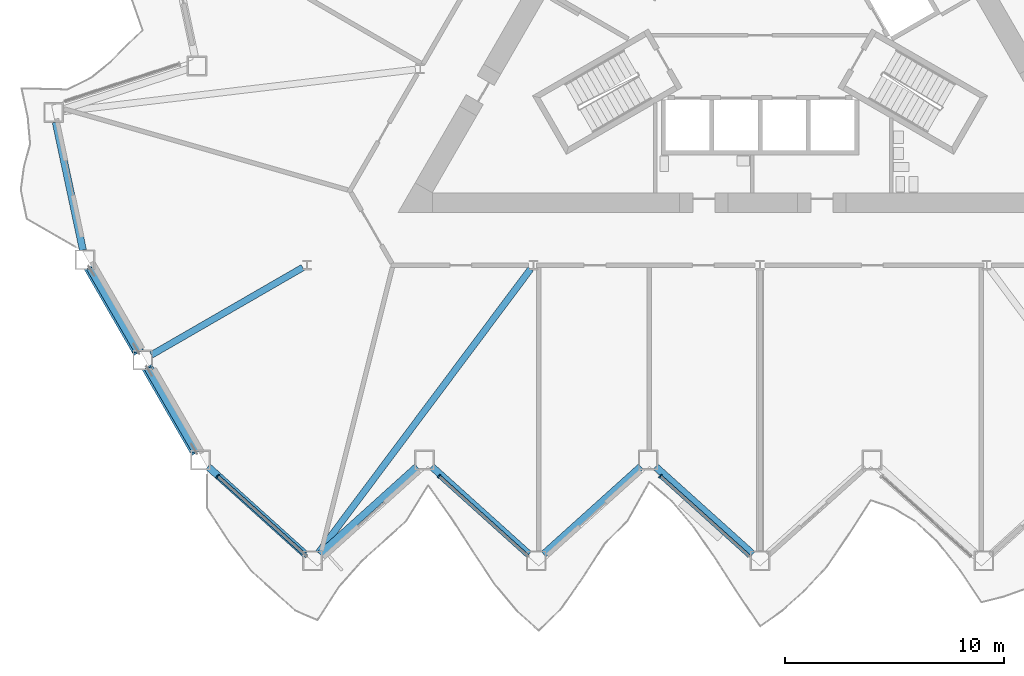
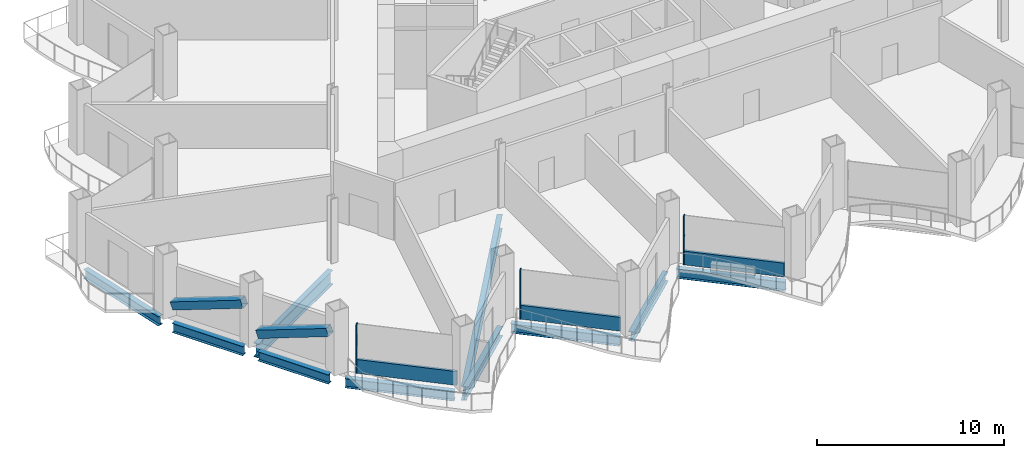
# One storey, part 3 of 21: 10 beams, 8 members, 3 elements without a shape of their own.
"""IFC4 building model written with IfcOpenShell, lengths in metres."""

from ifc_helpers import new_model, si_unit, direction, frame, origin, origin_2d, place, context, subcontext, project, spatial, rectangle, hollow_rectangle, i_section, extrude, material, layer, layer_set, material_profile, profile_set, type_object, element, aggregate, save


model = new_model("IFC4")

# Units and contexts
model_context = context("Model", 3, precision=1e-05, world=origin(), true_north=direction((0.0, 1.0)))
body_context = subcontext(model_context, "Body", "Model", "MODEL_VIEW")
ifc_project = project(units=[si_unit("LENGTHUNIT", "METRE"), si_unit("AREAUNIT", "SQUARE_METRE"), si_unit("VOLUMEUNIT", "CUBIC_METRE"), si_unit("PLANEANGLEUNIT", "RADIAN"), si_unit("MASSUNIT", "GRAM", prefix="KILO")], contexts=[model_context])

# Site, building, storey
site_placement = place(None, origin())
site = spatial("IfcSite", under=ifc_project, at=site_placement, CompositionType="ELEMENT")
building_placement = place(site_placement, origin())
building = spatial("IfcBuilding", under=site, at=building_placement, Name="Cormorant Prow Tower", CompositionType="ELEMENT")
storey_placement = place(building_placement, frame((0.0, 0.0, 129.0)))
storey = spatial("IfcBuildingStorey", under=building, at=storey_placement, Name="L27", CompositionType="ELEMENT", Elevation=129.0)

# Members
ifc_material_1 = material(Name="Structural steel ASTM A500 Gr C", Category="steel")
ifc_material_profile_1 = material_profile(ifc_material_1, hollow_rectangle(XDim=0.508056640625, YDim=0.508056640625, WallThickness=0.014892578125, at=origin_2d()), Name="HSS20x20x5/8")
ifc_profile_set_1 = profile_set([ifc_material_profile_1], Name="Structural steel ASTM A500 Gr C")
member_type_1 = type_object("IfcMemberType", Name="Chamfer brace HSS20x20x5/8", PredefinedType="BRACE", material=ifc_profile_set_1)
for number, where, z_axis, x_axis, name in (
    (1, (-30.535400390625, -12.0849609375, 0.776611328125), (0.467784671838, -0.810243526908, 0.35310469821), (0.866029868417, 0.499992266949, 0.0), "Chamfer brace BR1 at WSW00 L27"),
    (2, (-27.900634765625, -16.648681640625, 0.776611328125), (0.467784671838, -0.810243526908, 0.35310469821), (0.866029868417, 0.499992266949, 0.0), "Chamfer brace BR1 at WSW01 L27"),
):
    element("IfcMember", number, at=place(storey_placement, frame(where, z_axis=z_axis, x_axis=x_axis)), inside=storey, type_object=member_type_1, Name=name, PredefinedType="BRACE", context=body_context, shape_type="SweptSolid", body=[
        extrude(hollow_rectangle(XDim=0.508056640625, YDim=0.508056640625, WallThickness=0.014892578125, at=origin_2d()), origin(), (0.0, 0.0, 1.0), 4.632568359375),
    ])

# Curtain wall, member
ifc_material_2 = material(Name="Aluminium 6063-T6", Category="aluminium")
ifc_layer = layer(ifc_material_2, 0.199951171875)
ifc_layer_set = layer_set([ifc_layer], Name="Aluminium 6063-T6")
curtain_wall_type = type_object("IfcCurtainWallType", Name="Office unitised curtain wall 200", PredefinedType="NOTDEFINED", material=ifc_layer_set)
curtain_wall_1_placement = place(storey_placement, origin())
curtain_wall_1 = element("IfcCurtainWall", 3, at=curtain_wall_1_placement, inside=storey, type_object=curtain_wall_type, Name="Office curtain wall S00", PredefinedType="NOTDEFINED")
ifc_material_3 = material(Name="Aluminium 6063-T6", Category="aluminium")
ifc_material_profile_2 = material_profile(ifc_material_3, rectangle(XDim=0.199951171875, YDim=0.06005859375, at=origin_2d()), Name="Office mullion 60x200")
ifc_profile_set_2 = profile_set([ifc_material_profile_2], Name="Aluminium 6063-T6")
member_type_2 = type_object("IfcMemberType", Name="Office mullion 60x200", PredefinedType="MULLION", material=ifc_profile_set_2)
member_1_placement = place(storey_placement, frame((-24.721923828125, -21.54150390625, 0.0), z_axis=(0.0, 0.0, 1.0), x_axis=(0.669130553193, 0.743144873348, 0.0)))
member_1 = element("IfcMember", 4, at=member_1_placement, type_object=member_type_2, Name="Office mullion S00", PredefinedType="MULLION", context=body_context, shape_type="SweptSolid", body=[
    extrude(rectangle(XDim=0.199951171875, YDim=0.06005859375, at=origin_2d()), origin(), (0.0, 0.0, 1.0), 3.18896484375),
])

curtain_wall_2_placement = place(storey_placement, origin())
curtain_wall_2 = element("IfcCurtainWall", 5, at=curtain_wall_2_placement, inside=storey, type_object=curtain_wall_type, Name="Office curtain wall S02", PredefinedType="NOTDEFINED")
member_2_placement = place(storey_placement, frame((-14.63525390625, -21.54150390625, 0.0), z_axis=(0.0, 0.0, 1.0), x_axis=(0.669130626463, 0.743144807376, 0.0)))
member_2 = element("IfcMember", 6, at=member_2_placement, type_object=member_type_2, Name="Office mullion S02", PredefinedType="MULLION", context=body_context, shape_type="SweptSolid", body=[
    extrude(rectangle(XDim=0.199951171875, YDim=0.06005859375, at=origin_2d()), origin(), (0.0, 0.0, 1.0), 3.18896484375),
])

curtain_wall_3_placement = place(storey_placement, origin())
curtain_wall_3 = element("IfcCurtainWall", 7, at=curtain_wall_3_placement, inside=storey, type_object=curtain_wall_type, Name="Office curtain wall S04", PredefinedType="NOTDEFINED")
member_3_placement = place(storey_placement, frame((-4.54833984375, -21.54150390625, 0.0), z_axis=(0.0, 0.0, 1.0), x_axis=(0.669130626463, 0.743144807376, 0.0)))
member_3 = element("IfcMember", 8, at=member_3_placement, type_object=member_type_2, Name="Office mullion S04", PredefinedType="MULLION", context=body_context, shape_type="SweptSolid", body=[
    extrude(rectangle(XDim=0.199951171875, YDim=0.06005859375, at=origin_2d()), origin(), (0.0, 0.0, 1.0), 3.18896484375),
])

# Member
ifc_material_4 = material(Name="Terracotta", Category="masonry")
ifc_material_profile_3 = material_profile(ifc_material_4, rectangle(XDim=0.159912109375, YDim=0.89990234375, at=origin_2d()), Name="Office terracotta spandrel rail 160x900")
ifc_profile_set_3 = profile_set([ifc_material_profile_3], Name="Terracotta")
member_type_3 = type_object("IfcMemberType", Name="Office terracotta spandrel rail 160x900", PredefinedType="USERDEFINED", material=ifc_profile_set_3)
member_4_placement = place(storey_placement, frame((-24.69970703125, -21.561767578125, 0.449951171875), z_axis=(0.743153914206, -0.669120512165, 0.0), x_axis=(0.669120512165, 0.743153914206, 0.0)))
member_4 = element("IfcMember", 9, at=member_4_placement, type_object=member_type_3, Name="Office spandrel rail S00", ObjectType="TRANSOM", PredefinedType="USERDEFINED", context=body_context, shape_type="SweptSolid", body=[
    extrude(rectangle(XDim=0.159912109375, YDim=0.89990234375, at=origin_2d()), origin(), (0.0, 0.0, 1.0), 5.454345703125),
])

aggregate(curtain_wall_1, [member_1, member_4])

member_5_placement = place(storey_placement, frame((-14.613037109375, -21.561767578125, 0.449951171875), z_axis=(0.743173953353, -0.66909825516, 0.0), x_axis=(0.66909825516, 0.743173953353, 0.0)))
member_5 = element("IfcMember", 10, at=member_5_placement, type_object=member_type_3, Name="Office spandrel rail S02", ObjectType="TRANSOM", PredefinedType="USERDEFINED", context=body_context, shape_type="SweptSolid", body=[
    extrude(rectangle(XDim=0.159912109375, YDim=0.89990234375, at=origin_2d()), origin(), (0.0, 0.0, 1.0), 5.45458984375),
])

aggregate(curtain_wall_2, [member_2, member_5])

member_6_placement = place(storey_placement, frame((-4.526123046875, -21.561767578125, 0.449951171875), z_axis=(0.743153914206, -0.669120512165, 0.0), x_axis=(0.669120512165, 0.743153914206, 0.0)))
member_6 = element("IfcMember", 11, at=member_6_placement, type_object=member_type_3, Name="Office spandrel rail S04", ObjectType="TRANSOM", PredefinedType="USERDEFINED", context=body_context, shape_type="SweptSolid", body=[
    extrude(rectangle(XDim=0.159912109375, YDim=0.89990234375, at=origin_2d()), origin(), (0.0, 0.0, 1.0), 5.454345703125),
])

aggregate(curtain_wall_3, [member_3, member_6])

# Beams
ifc_material_5 = material(Name="Structural steel ASTM A992 Gr 50", Category="steel")
ifc_material_profile_4 = material_profile(ifc_material_5, i_section(OverallWidth=0.3046875, OverallDepth=0.914794921875, WebThickness=0.0166015625, FlangeThickness=0.02587890625, at=origin_2d()), Name="W36x160")
ifc_profile_set_4 = profile_set([ifc_material_profile_4], Name="Structural steel ASTM A992 Gr 50")
beam_type_1 = type_object("IfcBeamType", Name="Radial floor beam W36x160", PredefinedType="BEAM", material=ifc_profile_set_4)
beam_1_placement = place(storey_placement, frame((-20.84521484375, -12.034912109375, -0.857421875), z_axis=(-0.866018715534, -0.50001158421, 0.0), x_axis=(0.50001158421, -0.866018715534, 0.0)))
element("IfcBeam", 12, at=beam_1_placement, inside=storey, type_object=beam_type_1, Name="Radial floor beam FB1 5 L27", PredefinedType="BEAM", context=body_context, shape_type="SweptSolid", body=[
    extrude(i_section(OverallWidth=0.3046875, OverallDepth=0.914794921875, WebThickness=0.0166015625, FlangeThickness=0.02587890625, at=origin_2d()), origin(), (0.0, 0.0, 1.0), 7.967041015625),
])
beam_2_placement = place(storey_placement, frame((-10.458740234375, -12.100341796875, -0.857421875), z_axis=(-0.598722444929, -0.800956574315, 0.0), x_axis=(0.800956574315, -0.598722444929, 0.0)))
element("IfcBeam", 13, at=beam_2_placement, inside=storey, type_object=beam_type_1, Name="Radial floor beam FB1 6 L27", PredefinedType="BEAM", context=body_context, shape_type="SweptSolid", body=[
    extrude(i_section(OverallWidth=0.3046875, OverallDepth=0.914794921875, WebThickness=0.0166015625, FlangeThickness=0.02587890625, at=origin_2d()), origin(), (0.0, 0.0, 1.0), 16.15380859375),
])
ifc_material_6 = material(Name="Structural steel ASTM A992 Gr 50", Category="steel")
ifc_material_profile_5 = material_profile(ifc_material_6, i_section(OverallWidth=0.32373046875, OverallDepth=0.611083984375, WebThickness=0.0126953125, FlangeThickness=0.01904296875, at=origin_2d()), Name="W24x104")
ifc_profile_set_5 = profile_set([ifc_material_profile_5], Name="Structural steel ASTM A992 Gr 50")
beam_type_2 = type_object("IfcBeamType", Name="Spandrel beam W24x104", PredefinedType="SPANDREL", material=ifc_profile_set_5)
for number, where, z_axis, x_axis, name in (
    (14, (-25.165283203125, -21.108154296875, -0.70556640625), (0.743131253571, -0.66914567918, 0.0), (0.66914567918, 0.743131253571, 0.0), "Spandrel beam SB1 S00-S01 L27"),
    (15, (-20.0654296875, -25.09814453125, -0.70556640625), (0.743131253571, 0.66914567918, 0.0), (-0.66914567918, 0.743131253571, 0.0), "Spandrel beam SB1 S01-S02 L27"),
    (16, (-14.96533203125, -21.108154296875, -0.70556640625), (0.743131253571, -0.66914567918, 0.0), (0.66914567918, 0.743131253571, 0.0), "Spandrel beam SB1 S02-S03 L27"),
    (17, (-9.865478515625, -25.09814453125, -0.70556640625), (0.743131253571, 0.66914567918, 0.0), (-0.66914567918, 0.743131253571, 0.0), "Spandrel beam SB1 S03-S04 L27"),
    (18, (-4.765625, -21.108154296875, -0.70556640625), (0.743131253571, -0.66914567918, 0.0), (0.66914567918, 0.743131253571, 0.0), "Spandrel beam SB1 S04-S05 L27"),
    (19, (-32.1025390625, -5.4072265625, -0.70556640625), (0.207912620873, -0.978147403044, 0.0), (0.978147403044, 0.207912620873, 0.0), "Spandrel beam SB1 WNW09-WSW00 L27"),
):
    element("IfcBeam", number, at=place(storey_placement, frame(where, z_axis=z_axis, x_axis=x_axis)), inside=storey, type_object=beam_type_2, Name=name, PredefinedType="SPANDREL", context=body_context, shape_type="SweptSolid", body=[
        extrude(i_section(OverallWidth=0.32373046875, OverallDepth=0.611083984375, WebThickness=0.0126953125, FlangeThickness=0.01904296875, at=origin_2d()), origin(), (0.0, 0.0, 1.0), 5.962890625),
    ])
for number, where, z_axis, x_axis, name in (
    (20, (-30.54443359375, -12.069580078125, -0.70556640625), (0.500002967982, -0.866023690213, 0.0), (0.866023690213, 0.500002967982, 0.0), "Spandrel beam SB1 WSW00-WSW01 L27"),
    (21, (-27.909423828125, -16.63330078125, -0.70556640625), (0.500002967982, -0.866023690213, 0.0), (0.866023690213, 0.500002967982, 0.0), "Spandrel beam SB1 WSW01-S00 L27"),
):
    element("IfcBeam", number, at=place(storey_placement, frame(where, z_axis=z_axis, x_axis=x_axis)), inside=storey, type_object=beam_type_2, Name=name, PredefinedType="SPANDREL", context=body_context, shape_type="SweptSolid", body=[
        extrude(i_section(OverallWidth=0.32373046875, OverallDepth=0.611083984375, WebThickness=0.0126953125, FlangeThickness=0.01904296875, at=origin_2d()), origin(), (0.0, 0.0, 1.0), 4.36962890625),
    ])

save(model, "model.ifc")
